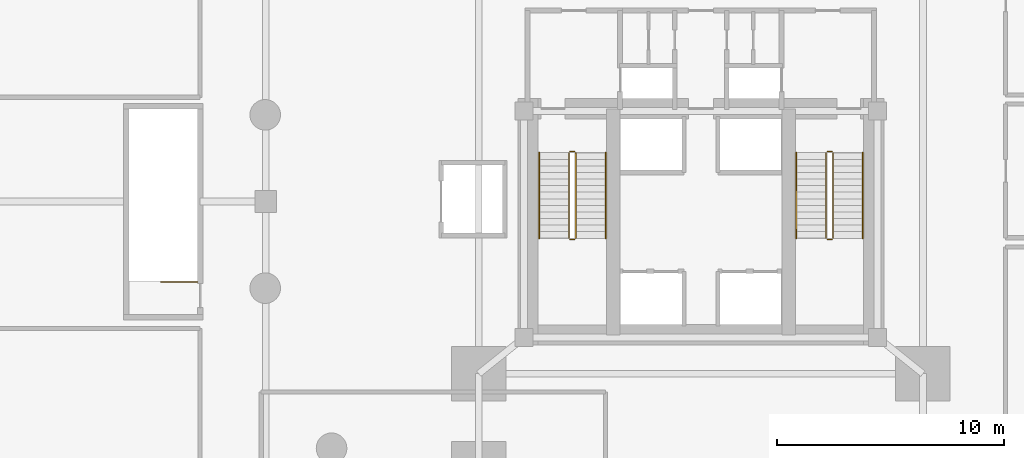
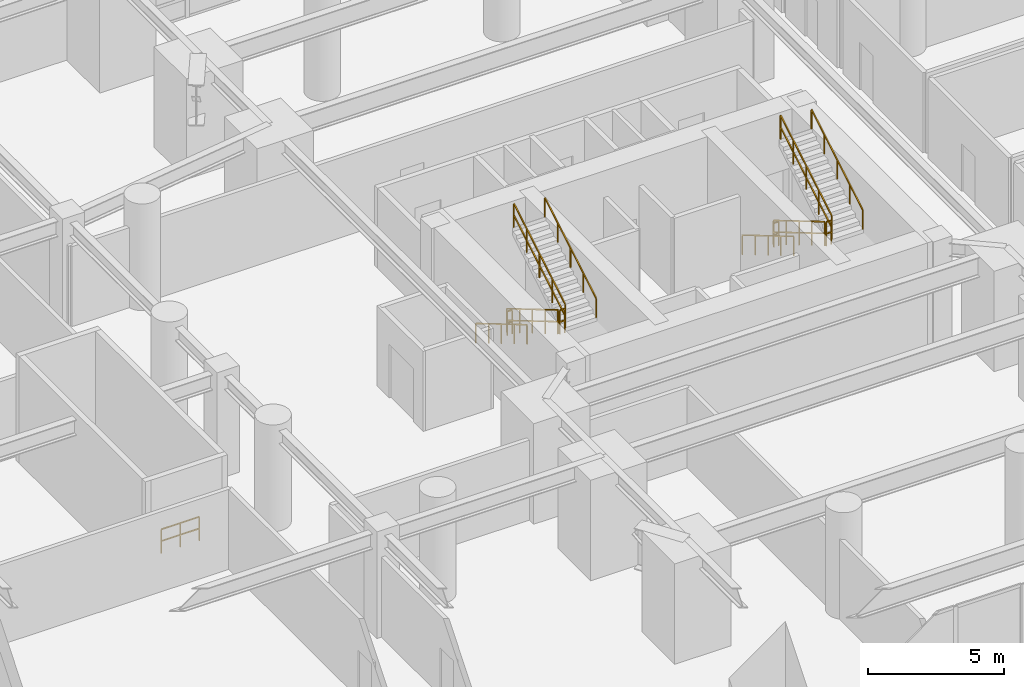
# One storey, part 17 of 17: 13 railings.
"""IFC4 building model written with IfcOpenShell, lengths in metres."""

from ifc_helpers import new_model, si_unit, direction, frame, origin, origin_2d, place, context, subcontext, project, spatial, rectangle, extrude, material, type_object, element, save


model = new_model("IFC4")

# Units and contexts
model_context = context("Model", 3, precision=1e-05, world=origin(), true_north=direction((0.0, 1.0)))
body_context = subcontext(model_context, "Body", "Model", "MODEL_VIEW")
ifc_project = project(units=[si_unit("LENGTHUNIT", "METRE"), si_unit("AREAUNIT", "SQUARE_METRE"), si_unit("VOLUMEUNIT", "CUBIC_METRE"), si_unit("PLANEANGLEUNIT", "RADIAN"), si_unit("MASSUNIT", "GRAM", prefix="KILO"), si_unit("THERMODYNAMICTEMPERATUREUNIT", "KELVIN"), si_unit("POWERUNIT", "WATT")], contexts=[model_context])

# Site, building, storey
site_placement = place(None, origin())
site = spatial("IfcSite", under=ifc_project, at=site_placement, CompositionType="ELEMENT")
building_placement = place(site_placement, origin())
building = spatial("IfcBuilding", under=site, at=building_placement, Name="Ocrelia Relay Tower", CompositionType="ELEMENT")
storey_placement = place(building_placement, frame((0.0, 0.0, 25.199951171875)))
storey = spatial("IfcBuildingStorey", under=building, at=storey_placement, Name="L05", CompositionType="ELEMENT", Elevation=25.199951171875)

# Railings
ifc_material_1 = material(Name="Steel S355 balustrade", Category="steel")
railing_type_1 = type_object("IfcRailingType", Name="RL-STAIR-GUARD", PredefinedType="GUARDRAIL", material=ifc_material_1)
railing_1_placement = place(storey_placement, frame((28.179931640625, 28.14990234375, 0.17138671875)))
element("IfcRailing", 1, at=railing_1_placement, inside=storey, type_object=railing_type_1, Name="L05 ST1 stair guard 1", PredefinedType="GUARDRAIL", context=body_context, shape_type="SweptSolid", body=[
    extrude(rectangle(XDim=0.048095703125, YDim=0.048095703125, at=origin_2d()), frame((0.0, 0.0, 1.076171875), z_axis=(0.0, -0.860824410104, 0.508902087802), x_axis=(1.0, 0.0, 0.0)), (0.0, 0.0, 1.0), 4.379638671875),
    extrude(rectangle(XDim=0.048095703125, YDim=0.048095703125, at=origin_2d()), frame((0.0, 0.0, 0.550048828125), z_axis=(0.0, -0.860824410104, 0.508902087802), x_axis=(1.0, 0.0, 0.0)), (0.0, 0.0, 1.0), 4.379638671875),
    extrude(rectangle(XDim=0.0419921875, YDim=0.0419921875, at=origin_2d()), origin(), (0.0, 0.0, 1.0), 1.052001953125),
    extrude(rectangle(XDim=0.0419921875, YDim=0.0419921875, at=origin_2d()), frame((0.0, -0.9423828125, 0.55712890625)), (0.0, 0.0, 1.0), 1.052001953125),
    extrude(rectangle(XDim=0.0419921875, YDim=0.0419921875, at=origin_2d()), frame((0.0, -1.885009765625, 1.1142578125)), (0.0, 0.0, 1.0), 1.052001953125),
    extrude(rectangle(XDim=0.0419921875, YDim=0.0419921875, at=origin_2d()), frame((0.0, -2.82763671875, 1.671630859375)), (0.0, 0.0, 1.0), 1.052001953125),
    extrude(rectangle(XDim=0.0419921875, YDim=0.0419921875, at=origin_2d()), frame((0.0, -3.77001953125, 2.228759765625)), (0.0, 0.0, 1.0), 1.052001953125),
])
railing_2_placement = place(storey_placement, frame((28.22998046875, 24.330078125, 2.400146484375)))
element("IfcRailing", 2, at=railing_2_placement, inside=storey, type_object=railing_type_1, Name="L05 ST1 stair guard 2", PredefinedType="GUARDRAIL", context=body_context, shape_type="SweptSolid", body=[
    extrude(rectangle(XDim=0.048095703125, YDim=0.048095703125, at=origin_2d()), frame((0.0, 0.0, 1.076171875), z_axis=(1.0, 0.0, 0.0), x_axis=(0.0, 1.0, 0.0)), (0.0, 0.0, 1.0), 0.199951171875),
    extrude(rectangle(XDim=0.048095703125, YDim=0.048095703125, at=origin_2d()), frame((0.0, 0.0, 0.550048828125), z_axis=(1.0, 0.0, 0.0), x_axis=(0.0, 1.0, 0.0)), (0.0, 0.0, 1.0), 0.199951171875),
    extrude(rectangle(XDim=0.0419921875, YDim=0.0419921875, at=origin_2d()), origin(), (0.0, 0.0, 1.0), 1.052001953125),
    extrude(rectangle(XDim=0.0419921875, YDim=0.0419921875, at=origin_2d()), frame((0.199951171875, 0.0, 0.0)), (0.0, 0.0, 1.0), 1.052001953125),
])
railing_3_placement = place(storey_placement, frame((28.47998046875, 24.3798828125, 2.571533203125)))
element("IfcRailing", 3, at=railing_3_placement, inside=storey, type_object=railing_type_1, Name="L05 ST1 stair guard 3", PredefinedType="GUARDRAIL", context=body_context, shape_type="SweptSolid", body=[
    extrude(rectangle(XDim=0.048095703125, YDim=0.048095703125, at=origin_2d()), frame((0.0, 0.0, 1.076171875), z_axis=(0.0, 0.860848830602, 0.508860777473), x_axis=(-1.0, 0.0, 0.0)), (0.0, 0.0, 1.0), 4.37939453125),
    extrude(rectangle(XDim=0.048095703125, YDim=0.048095703125, at=origin_2d()), frame((0.0, 0.0, 0.550048828125), z_axis=(0.0, 0.860848830602, 0.508860777473), x_axis=(-1.0, 0.0, 0.0)), (0.0, 0.0, 1.0), 4.37939453125),
    extrude(rectangle(XDim=0.0419921875, YDim=0.0419921875, at=origin_2d()), origin(), (0.0, 0.0, 1.0), 1.052001953125),
    extrude(rectangle(XDim=0.0419921875, YDim=0.0419921875, at=origin_2d()), frame((0.0, 0.9423828125, 0.55712890625)), (0.0, 0.0, 1.0), 1.052001953125),
    extrude(rectangle(XDim=0.0419921875, YDim=0.0419921875, at=origin_2d()), frame((0.0, 1.885009765625, 1.1142578125)), (0.0, 0.0, 1.0), 1.052001953125),
    extrude(rectangle(XDim=0.0419921875, YDim=0.0419921875, at=origin_2d()), frame((0.0, 2.82763671875, 1.67138671875)), (0.0, 0.0, 1.0), 1.052001953125),
    extrude(rectangle(XDim=0.0419921875, YDim=0.0419921875, at=origin_2d()), frame((0.0, 3.77001953125, 2.228515625)), (0.0, 0.0, 1.0), 1.052001953125),
])
railing_4_placement = place(storey_placement, frame((28.22998046875, 28.199951171875, 0.0)))
element("IfcRailing", 4, at=railing_4_placement, inside=storey, type_object=railing_type_1, Name="L05 ST1 stair guard 4", PredefinedType="GUARDRAIL", context=body_context, shape_type="SweptSolid", body=[
    extrude(rectangle(XDim=0.048095703125, YDim=0.048095703125, at=origin_2d()), frame((0.0, 0.0, 1.076171875), z_axis=(1.0, 0.0, 0.0), x_axis=(0.0, 1.0, 0.0)), (0.0, 0.0, 1.0), 0.199951171875),
    extrude(rectangle(XDim=0.048095703125, YDim=0.048095703125, at=origin_2d()), frame((0.0, 0.0, 0.550048828125), z_axis=(1.0, 0.0, 0.0), x_axis=(0.0, 1.0, 0.0)), (0.0, 0.0, 1.0), 0.199951171875),
    extrude(rectangle(XDim=0.0419921875, YDim=0.0419921875, at=origin_2d()), origin(), (0.0, 0.0, 1.0), 1.052001953125),
    extrude(rectangle(XDim=0.0419921875, YDim=0.0419921875, at=origin_2d()), frame((0.199951171875, 0.0, 0.0)), (0.0, 0.0, 1.0), 1.052001953125),
])
railing_5_placement = place(storey_placement, frame((39.530029296875, 28.14990234375, 0.17138671875)))
element("IfcRailing", 5, at=railing_5_placement, inside=storey, type_object=railing_type_1, Name="L05 ST2 stair guard 1", PredefinedType="GUARDRAIL", context=body_context, shape_type="SweptSolid", body=[
    extrude(rectangle(XDim=0.048095703125, YDim=0.048095703125, at=origin_2d()), frame((0.0, 0.0, 1.076171875), z_axis=(0.0, -0.860824410104, 0.508902087802), x_axis=(1.0, 0.0, 0.0)), (0.0, 0.0, 1.0), 4.379638671875),
    extrude(rectangle(XDim=0.048095703125, YDim=0.048095703125, at=origin_2d()), frame((0.0, 0.0, 0.550048828125), z_axis=(0.0, -0.860824410104, 0.508902087802), x_axis=(1.0, 0.0, 0.0)), (0.0, 0.0, 1.0), 4.379638671875),
    extrude(rectangle(XDim=0.0419921875, YDim=0.0419921875, at=origin_2d()), origin(), (0.0, 0.0, 1.0), 1.052001953125),
    extrude(rectangle(XDim=0.0419921875, YDim=0.0419921875, at=origin_2d()), frame((0.0, -0.9423828125, 0.55712890625)), (0.0, 0.0, 1.0), 1.052001953125),
    extrude(rectangle(XDim=0.0419921875, YDim=0.0419921875, at=origin_2d()), frame((0.0, -1.885009765625, 1.1142578125)), (0.0, 0.0, 1.0), 1.052001953125),
    extrude(rectangle(XDim=0.0419921875, YDim=0.0419921875, at=origin_2d()), frame((0.0, -2.82763671875, 1.671630859375)), (0.0, 0.0, 1.0), 1.052001953125),
    extrude(rectangle(XDim=0.0419921875, YDim=0.0419921875, at=origin_2d()), frame((0.0, -3.77001953125, 2.228759765625)), (0.0, 0.0, 1.0), 1.052001953125),
])
railing_6_placement = place(storey_placement, frame((39.580078125, 24.330078125, 2.400146484375)))
element("IfcRailing", 6, at=railing_6_placement, inside=storey, type_object=railing_type_1, Name="L05 ST2 stair guard 2", PredefinedType="GUARDRAIL", context=body_context, shape_type="SweptSolid", body=[
    extrude(rectangle(XDim=0.048095703125, YDim=0.048095703125, at=origin_2d()), frame((0.0, 0.0, 1.076171875), z_axis=(1.0, 0.0, 0.0), x_axis=(0.0, 1.0, 0.0)), (0.0, 0.0, 1.0), 0.199951171875),
    extrude(rectangle(XDim=0.048095703125, YDim=0.048095703125, at=origin_2d()), frame((0.0, 0.0, 0.550048828125), z_axis=(1.0, 0.0, 0.0), x_axis=(0.0, 1.0, 0.0)), (0.0, 0.0, 1.0), 0.199951171875),
    extrude(rectangle(XDim=0.0419921875, YDim=0.0419921875, at=origin_2d()), origin(), (0.0, 0.0, 1.0), 1.052001953125),
    extrude(rectangle(XDim=0.0419921875, YDim=0.0419921875, at=origin_2d()), frame((0.199951171875, 0.0, 0.0)), (0.0, 0.0, 1.0), 1.052001953125),
])
railing_7_placement = place(storey_placement, frame((39.830078125, 24.3798828125, 2.571533203125)))
element("IfcRailing", 7, at=railing_7_placement, inside=storey, type_object=railing_type_1, Name="L05 ST2 stair guard 3", PredefinedType="GUARDRAIL", context=body_context, shape_type="SweptSolid", body=[
    extrude(rectangle(XDim=0.048095703125, YDim=0.048095703125, at=origin_2d()), frame((0.0, 0.0, 1.076171875), z_axis=(0.0, 0.860848830602, 0.508860777473), x_axis=(-1.0, 0.0, 0.0)), (0.0, 0.0, 1.0), 4.37939453125),
    extrude(rectangle(XDim=0.048095703125, YDim=0.048095703125, at=origin_2d()), frame((0.0, 0.0, 0.550048828125), z_axis=(0.0, 0.860848830602, 0.508860777473), x_axis=(-1.0, 0.0, 0.0)), (0.0, 0.0, 1.0), 4.37939453125),
    extrude(rectangle(XDim=0.0419921875, YDim=0.0419921875, at=origin_2d()), origin(), (0.0, 0.0, 1.0), 1.052001953125),
    extrude(rectangle(XDim=0.0419921875, YDim=0.0419921875, at=origin_2d()), frame((0.0, 0.9423828125, 0.55712890625)), (0.0, 0.0, 1.0), 1.052001953125),
    extrude(rectangle(XDim=0.0419921875, YDim=0.0419921875, at=origin_2d()), frame((0.0, 1.885009765625, 1.1142578125)), (0.0, 0.0, 1.0), 1.052001953125),
    extrude(rectangle(XDim=0.0419921875, YDim=0.0419921875, at=origin_2d()), frame((0.0, 2.82763671875, 1.67138671875)), (0.0, 0.0, 1.0), 1.052001953125),
    extrude(rectangle(XDim=0.0419921875, YDim=0.0419921875, at=origin_2d()), frame((0.0, 3.77001953125, 2.228515625)), (0.0, 0.0, 1.0), 1.052001953125),
])
railing_8_placement = place(storey_placement, frame((39.580078125, 28.199951171875, 0.0)))
element("IfcRailing", 8, at=railing_8_placement, inside=storey, type_object=railing_type_1, Name="L05 ST2 stair guard 4", PredefinedType="GUARDRAIL", context=body_context, shape_type="SweptSolid", body=[
    extrude(rectangle(XDim=0.048095703125, YDim=0.048095703125, at=origin_2d()), frame((0.0, 0.0, 1.076171875), z_axis=(1.0, 0.0, 0.0), x_axis=(0.0, 1.0, 0.0)), (0.0, 0.0, 1.0), 0.199951171875),
    extrude(rectangle(XDim=0.048095703125, YDim=0.048095703125, at=origin_2d()), frame((0.0, 0.0, 0.550048828125), z_axis=(1.0, 0.0, 0.0), x_axis=(0.0, 1.0, 0.0)), (0.0, 0.0, 1.0), 0.199951171875),
    extrude(rectangle(XDim=0.0419921875, YDim=0.0419921875, at=origin_2d()), origin(), (0.0, 0.0, 1.0), 1.052001953125),
    extrude(rectangle(XDim=0.0419921875, YDim=0.0419921875, at=origin_2d()), frame((0.199951171875, 0.0, 0.0)), (0.0, 0.0, 1.0), 1.052001953125),
])
railing_9_placement = place(storey_placement, frame((11.800048828125, 22.449951171875, 0.0)))
element("IfcRailing", 9, at=railing_9_placement, inside=storey, type_object=railing_type_1, Name="L05 ST3 top well guard 1", PredefinedType="GUARDRAIL", context=body_context, shape_type="SweptSolid", body=[
    extrude(rectangle(XDim=0.048095703125, YDim=0.048095703125, at=origin_2d()), frame((0.0, 0.0, 1.076171875), z_axis=(-1.0, 0.0, 0.0), x_axis=(0.0, -1.0, 0.0)), (0.0, 0.0, 1.0), 1.6201171875),
    extrude(rectangle(XDim=0.048095703125, YDim=0.048095703125, at=origin_2d()), frame((0.0, 0.0, 0.550048828125), z_axis=(-1.0, 0.0, 0.0), x_axis=(0.0, -1.0, 0.0)), (0.0, 0.0, 1.0), 1.6201171875),
    extrude(rectangle(XDim=0.0419921875, YDim=0.0419921875, at=origin_2d()), origin(), (0.0, 0.0, 1.0), 1.052001953125),
    extrude(rectangle(XDim=0.0419921875, YDim=0.0419921875, at=origin_2d()), frame((-0.81005859375, 0.0, 0.0)), (0.0, 0.0, 1.0), 1.052001953125),
    extrude(rectangle(XDim=0.0419921875, YDim=0.0419921875, at=origin_2d()), frame((-1.6201171875, 0.0, 0.0)), (0.0, 0.0, 1.0), 1.052001953125),
])
ifc_material_2 = material(Name="Steel S355 tubular handrail", Category="steel")
railing_type_2 = type_object("IfcRailingType", Name="RL-STAIR-HAND", PredefinedType="HANDRAIL", material=ifc_material_2)
railing_10_placement = place(storey_placement, frame((26.860107421875, 28.14990234375, 0.17138671875)))
element("IfcRailing", 10, at=railing_10_placement, inside=storey, type_object=railing_type_2, Name="L05 ST1 stair handrail 1", PredefinedType="HANDRAIL", context=body_context, shape_type="SweptSolid", body=[
    extrude(rectangle(XDim=0.048095703125, YDim=0.048095703125, at=origin_2d()), frame((0.0, 0.0, 0.8759765625), z_axis=(0.0, -0.860824410104, 0.508902087802), x_axis=(1.0, 0.0, 0.0)), (0.0, 0.0, 1.0), 4.379638671875),
    extrude(rectangle(XDim=0.0419921875, YDim=0.0419921875, at=origin_2d()), origin(), (0.0, 0.0, 1.0), 0.851806640625),
    extrude(rectangle(XDim=0.0419921875, YDim=0.0419921875, at=origin_2d()), frame((0.0, -0.9423828125, 0.55712890625)), (0.0, 0.0, 1.0), 0.851806640625),
    extrude(rectangle(XDim=0.0419921875, YDim=0.0419921875, at=origin_2d()), frame((0.0, -1.885009765625, 1.1142578125)), (0.0, 0.0, 1.0), 0.851806640625),
    extrude(rectangle(XDim=0.0419921875, YDim=0.0419921875, at=origin_2d()), frame((0.0, -2.82763671875, 1.671630859375)), (0.0, 0.0, 1.0), 0.851806640625),
    extrude(rectangle(XDim=0.0419921875, YDim=0.0419921875, at=origin_2d()), frame((0.0, -3.77001953125, 2.228759765625)), (0.0, 0.0, 1.0), 0.851806640625),
])
railing_11_placement = place(storey_placement, frame((29.800048828125, 24.3798828125, 2.571533203125)))
element("IfcRailing", 11, at=railing_11_placement, inside=storey, type_object=railing_type_2, Name="L05 ST1 stair handrail 2", PredefinedType="HANDRAIL", context=body_context, shape_type="SweptSolid", body=[
    extrude(rectangle(XDim=0.048095703125, YDim=0.048095703125, at=origin_2d()), frame((0.0, 0.0, 0.8759765625), z_axis=(0.0, 0.860848830602, 0.508860777473), x_axis=(-1.0, 0.0, 0.0)), (0.0, 0.0, 1.0), 4.37939453125),
    extrude(rectangle(XDim=0.0419921875, YDim=0.0419921875, at=origin_2d()), origin(), (0.0, 0.0, 1.0), 0.851806640625),
    extrude(rectangle(XDim=0.0419921875, YDim=0.0419921875, at=origin_2d()), frame((0.0, 0.9423828125, 0.55712890625)), (0.0, 0.0, 1.0), 0.851806640625),
    extrude(rectangle(XDim=0.0419921875, YDim=0.0419921875, at=origin_2d()), frame((0.0, 1.885009765625, 1.1142578125)), (0.0, 0.0, 1.0), 0.851806640625),
    extrude(rectangle(XDim=0.0419921875, YDim=0.0419921875, at=origin_2d()), frame((0.0, 2.82763671875, 1.67138671875)), (0.0, 0.0, 1.0), 0.851806640625),
    extrude(rectangle(XDim=0.0419921875, YDim=0.0419921875, at=origin_2d()), frame((0.0, 3.77001953125, 2.228515625)), (0.0, 0.0, 1.0), 0.851806640625),
])
railing_12_placement = place(storey_placement, frame((38.2099609375, 28.14990234375, 0.17138671875)))
element("IfcRailing", 12, at=railing_12_placement, inside=storey, type_object=railing_type_2, Name="L05 ST2 stair handrail 1", PredefinedType="HANDRAIL", context=body_context, shape_type="SweptSolid", body=[
    extrude(rectangle(XDim=0.048095703125, YDim=0.048095703125, at=origin_2d()), frame((0.0, 0.0, 0.8759765625), z_axis=(0.0, -0.860824410104, 0.508902087802), x_axis=(1.0, 0.0, 0.0)), (0.0, 0.0, 1.0), 4.379638671875),
    extrude(rectangle(XDim=0.0419921875, YDim=0.0419921875, at=origin_2d()), origin(), (0.0, 0.0, 1.0), 0.851806640625),
    extrude(rectangle(XDim=0.0419921875, YDim=0.0419921875, at=origin_2d()), frame((0.0, -0.9423828125, 0.55712890625)), (0.0, 0.0, 1.0), 0.851806640625),
    extrude(rectangle(XDim=0.0419921875, YDim=0.0419921875, at=origin_2d()), frame((0.0, -1.885009765625, 1.1142578125)), (0.0, 0.0, 1.0), 0.851806640625),
    extrude(rectangle(XDim=0.0419921875, YDim=0.0419921875, at=origin_2d()), frame((0.0, -2.82763671875, 1.671630859375)), (0.0, 0.0, 1.0), 0.851806640625),
    extrude(rectangle(XDim=0.0419921875, YDim=0.0419921875, at=origin_2d()), frame((0.0, -3.77001953125, 2.228759765625)), (0.0, 0.0, 1.0), 0.851806640625),
])
railing_13_placement = place(storey_placement, frame((41.14990234375, 24.3798828125, 2.571533203125)))
element("IfcRailing", 13, at=railing_13_placement, inside=storey, type_object=railing_type_2, Name="L05 ST2 stair handrail 2", PredefinedType="HANDRAIL", context=body_context, shape_type="SweptSolid", body=[
    extrude(rectangle(XDim=0.048095703125, YDim=0.048095703125, at=origin_2d()), frame((0.0, 0.0, 0.8759765625), z_axis=(0.0, 0.860848830602, 0.508860777473), x_axis=(-1.0, 0.0, 0.0)), (0.0, 0.0, 1.0), 4.37939453125),
    extrude(rectangle(XDim=0.0419921875, YDim=0.0419921875, at=origin_2d()), origin(), (0.0, 0.0, 1.0), 0.851806640625),
    extrude(rectangle(XDim=0.0419921875, YDim=0.0419921875, at=origin_2d()), frame((0.0, 0.9423828125, 0.55712890625)), (0.0, 0.0, 1.0), 0.851806640625),
    extrude(rectangle(XDim=0.0419921875, YDim=0.0419921875, at=origin_2d()), frame((0.0, 1.885009765625, 1.1142578125)), (0.0, 0.0, 1.0), 0.851806640625),
    extrude(rectangle(XDim=0.0419921875, YDim=0.0419921875, at=origin_2d()), frame((0.0, 2.82763671875, 1.67138671875)), (0.0, 0.0, 1.0), 0.851806640625),
    extrude(rectangle(XDim=0.0419921875, YDim=0.0419921875, at=origin_2d()), frame((0.0, 3.77001953125, 2.228515625)), (0.0, 0.0, 1.0), 0.851806640625),
])

save(model, "model.ifc")
